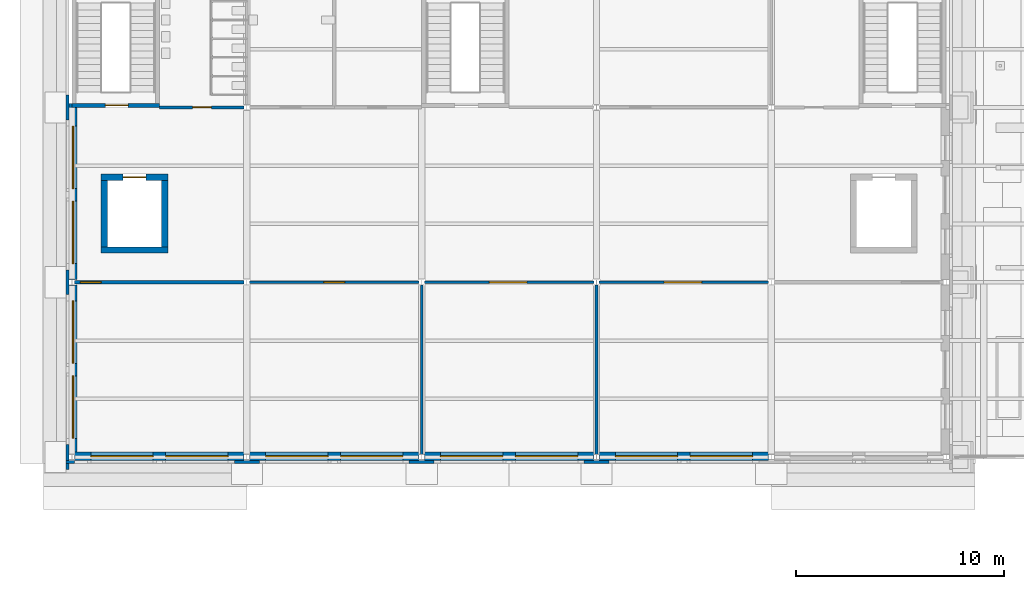
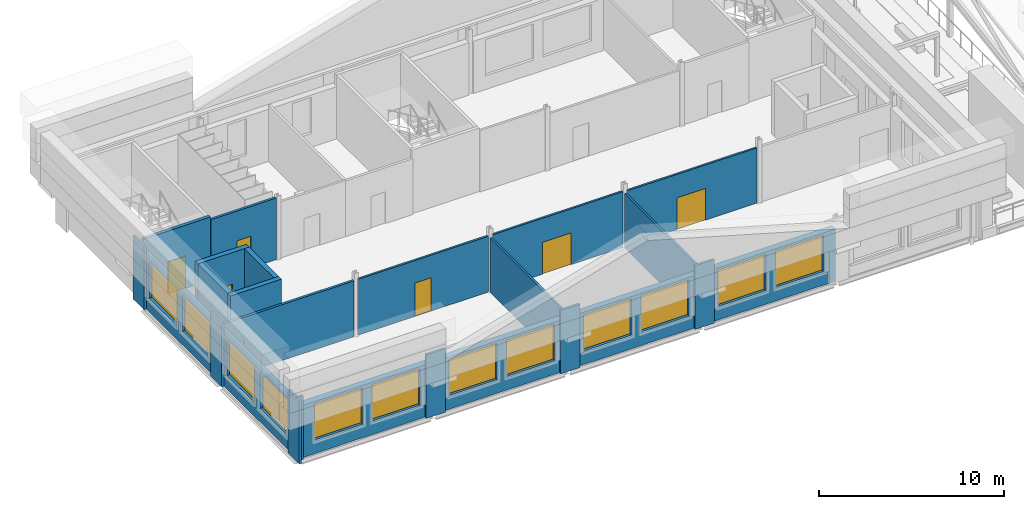
# One storey, part 40 of 76: 25 walls, 12 windows, 7 doors, 19 openings.
"""IFC4 building model written with IfcOpenShell, lengths in metres."""

from ifc_helpers import new_model, si_unit, direction, frame, frame_2d, origin, place, context, subcontext, project, spatial, rectangle, extrude, material, layer, layer_set, type_object, element, fill, save


model = new_model("IFC4")

# Units and contexts
model_context = context("Model", 3, precision=1e-05, world=origin(), true_north=direction((0.0, 1.0)))
body_context = subcontext(model_context, "Body", "Model", "MODEL_VIEW")
ifc_project = project(units=[si_unit("LENGTHUNIT", "METRE"), si_unit("AREAUNIT", "SQUARE_METRE"), si_unit("VOLUMEUNIT", "CUBIC_METRE"), si_unit("PLANEANGLEUNIT", "RADIAN"), si_unit("MASSUNIT", "GRAM", prefix="KILO")], contexts=[model_context])

# Site, building, storey
site_placement = place(None, origin())
site = spatial("IfcSite", under=ifc_project, at=site_placement, CompositionType="ELEMENT")
building_placement = place(site_placement, origin())
building = spatial("IfcBuilding", under=site, at=building_placement, Name="Sava Quay Ferry Terminal", CompositionType="ELEMENT")
storey_placement = place(building_placement, frame((0.0, 0.0, 10.800048828125)))
storey = spatial("IfcBuildingStorey", under=building, at=storey_placement, Name="L02", CompositionType="ELEMENT", Elevation=10.800048828125)

# Walls
ifc_material_1 = material(Name="Limestone Mutalj", Category="masonry")
ifc_layer_1 = layer(ifc_material_1, 0.14990234375)
ifc_layer_set_1 = layer_set([ifc_layer_1], Name="Limestone Mutalj")
wall_type_1 = type_object("IfcWallType", Name="Pier cladding 150", PredefinedType="SOLIDWALL", material=ifc_layer_set_1)
wall_1_placement = place(storey_placement, frame((-0.280029296875, 24.965087890625, 0.0), z_axis=(0.0, 0.0, 1.0), x_axis=(1.0, 0.0, 0.0)))
element("IfcWall", 1, at=wall_1_placement, inside=storey, type_object=wall_type_1, Name="Pier W-S grid 0", PredefinedType="SOLIDWALL", context=body_context, shape_type="SweptSolid", body=[
    extrude(rectangle(XDim=0.409912109375, YDim=0.14990234375, at=frame_2d((0.205078125, 0.0))), origin(), (0.0, 0.0, 1.0), 4.199951171875),
])
for number, where, z_axis, x_axis, name in (
    (2, (7.800048828125, 24.965087890625, 0.0), (0.0, 0.0, 1.0), (1.0, 0.0, 0.0), "Pier W-S grid 8.4"),
    (3, (16.199951171875, 24.965087890625, 0.0), (0.0, 0.0, 1.0), (1.0, 0.0, 0.0), "Pier W-S grid 16.8"),
    (4, (24.60009765625, 24.965087890625, 0.0), (0.0, 0.0, 1.0), (1.0, 0.0, 0.0), "Pier W-S grid 25.2"),
    (5, (-0.22509765625, 24.60009765625, 0.0), (0.0, 0.0, 1.0), (0.0, 1.0, 0.0), "Pier W-W grid 25.2"),
    (6, (-0.22509765625, 33.0, 0.0), (0.0, 0.0, 1.0), (0.0, 1.0, 0.0), "Pier W-W grid 33.6"),
):
    element("IfcWall", number, at=place(storey_placement, frame(where, z_axis=z_axis, x_axis=x_axis)), inside=storey, type_object=wall_type_1, Name=name, PredefinedType="SOLIDWALL", context=body_context, shape_type="SweptSolid", body=[
        extrude(rectangle(XDim=1.199951171875, YDim=0.14990234375, at=frame_2d((0.60009765625, 0.0))), origin(), (0.0, 0.0, 1.0), 4.199951171875),
    ])
wall_2_placement = place(storey_placement, frame((-0.22509765625, 41.39990234375, 0.0), z_axis=(0.0, 0.0, 1.0), x_axis=(0.0, 1.0, 0.0)))
element("IfcWall", 7, at=wall_2_placement, inside=storey, type_object=wall_type_1, Name="Pier W-W grid 42", PredefinedType="SOLIDWALL", context=body_context, shape_type="SweptSolid", body=[
    extrude(rectangle(XDim=1.2001953125, YDim=0.14990234375, at=frame_2d((0.60009765625, 0.0))), origin(), (0.0, 0.0, 1.0), 4.199951171875),
])

# Wall, opening, door
ifc_material_2 = material(Name="Masonry blockwork", Category="masonry")
ifc_layer_2 = layer(ifc_material_2, 0.14990234375)
ifc_layer_set_2 = layer_set([ifc_layer_2], Name="Masonry blockwork")
wall_type_2 = type_object("IfcWallType", Name="Plant, store and lobby wall, blockwork 150", PredefinedType="PARTITIONING", material=ifc_layer_set_2)
wall_3_placement = place(storey_placement, frame((0.1298828125, 33.60009765625, 0.0), z_axis=(0.0, 0.0, 1.0), x_axis=(1.0, 0.0, 0.0)))
wall_3 = element("IfcWall", 8, at=wall_3_placement, inside=storey, type_object=wall_type_2, Name="Plant, store and lobby wall, blockwork 150", PredefinedType="PARTITIONING", context=body_context, shape_type="SweptSolid", body=[
    extrude(rectangle(XDim=8.14013671875, YDim=0.14990234375, at=frame_2d((4.070068359375, 0.0))), origin(), (0.0, 0.0, 1.0), 3.68994140625),
])
opening_1_placement = place(wall_3_placement, frame((0.27001953125, 0.0, 0.0)))
opening_1 = element("IfcOpeningElement", 9, at=opening_1_placement, cuts=wall_3, Name="Opening D0202", PredefinedType="OPENING", context=body_context, shape_type="SweptSolid", body=[
    extrude(rectangle(XDim=1.0, YDim=2.199951171875, at=frame_2d((0.5, 1.10009765625))), frame((0.0, 0.074951171875, 0.0), z_axis=(0.0, -1.0, 0.0), x_axis=(1.0, 0.0, 0.0)), (0.0, 0.0, 1.0), 0.14990234375),
])
ifc_material_3 = material(Name="Timber door set", Category="wood")
door_type_1 = type_object("IfcDoorType", Name="Single door 1000 x 2200", OperationType="NOTDEFINED", PredefinedType="DOOR", material=ifc_material_3)
door_1_placement = place(opening_1_placement, origin())
door_1 = element("IfcDoor", 10, at=door_1_placement, inside=storey, type_object=door_type_1, Name="Door D0202", OperationType="SINGLE_SWING_LEFT", OverallHeight=2.199951171875, OverallWidth=1.0, PredefinedType="DOOR", context=body_context, shape_type="SweptSolid", body=[
    extrude(rectangle(XDim=1.0, YDim=2.199951171875, at=frame_2d((0.5, 1.10009765625))), frame((0.0, 0.02490234375, 0.0), z_axis=(0.0, -1.0, 0.0), x_axis=(1.0, 0.0, 0.0)), (0.0, 0.0, 1.0), 0.050048828125),
])
fill(opening_1, door_1)

wall_4_placement = place(storey_placement, frame((4.199951171875, 42.0, 0.0), z_axis=(0.0, 0.0, 1.0), x_axis=(1.0, 0.0, 0.0)))
wall_4 = element("IfcWall", 11, at=wall_4_placement, inside=storey, type_object=wall_type_2, Name="Plant, store and lobby wall, blockwork 150", PredefinedType="PARTITIONING", context=body_context, shape_type="SweptSolid", body=[
    extrude(rectangle(XDim=4.070068359375, YDim=0.14990234375, at=frame_2d((2.03515625, 0.0))), origin(), (0.0, 0.0, 1.0), 4.070068359375),
])
opening_2_placement = place(wall_4_placement, frame((1.60009765625, 0.0, 0.0)))
opening_2 = element("IfcOpeningElement", 12, at=opening_2_placement, cuts=wall_4, Name="Opening D0206", PredefinedType="OPENING", context=body_context, shape_type="SweptSolid", body=[
    extrude(rectangle(XDim=0.89990234375, YDim=2.10009765625, at=frame_2d((0.449951171875, 1.050048828125))), frame((0.0, 0.074951171875, 0.0), z_axis=(0.0, -1.0, 0.0), x_axis=(1.0, 0.0, 0.0)), (0.0, 0.0, 1.0), 0.14990234375),
])
ifc_material_4 = material(Name="Laminate door set")
door_type_2 = type_object("IfcDoorType", Name="Toilet door 900 x 2100", OperationType="NOTDEFINED", PredefinedType="DOOR", material=ifc_material_4)
door_2_placement = place(opening_2_placement, origin())
door_2 = element("IfcDoor", 13, at=door_2_placement, inside=storey, type_object=door_type_2, Name="Door D0206", OperationType="SINGLE_SWING_LEFT", OverallHeight=2.10009765625, OverallWidth=0.89990234375, PredefinedType="DOOR", context=body_context, shape_type="SweptSolid", body=[
    extrude(rectangle(XDim=0.89990234375, YDim=2.10009765625, at=frame_2d((0.449951171875, 1.050048828125))), frame((0.0, 0.02490234375, 0.0), z_axis=(0.0, -1.0, 0.0), x_axis=(1.0, 0.0, 0.0)), (0.0, 0.0, 1.0), 0.050048828125),
])
fill(opening_2, door_2)

ifc_material_5 = material(Name="Concrete C35/45", Category="concrete")
ifc_layer_3 = layer(ifc_material_5, 0.199951171875)
ifc_layer_set_3 = layer_set([ifc_layer_3], Name="Concrete C35/45")
wall_type_3 = type_object("IfcWallType", Name="RC core wall 200", PredefinedType="SHEAR", material=ifc_layer_set_3)
wall_5_placement = place(storey_placement, frame((0.0, 42.10009765625, 0.0), z_axis=(0.0, 0.0, 1.0), x_axis=(1.0, 0.0, 0.0)))
wall_5 = element("IfcWall", 14, at=wall_5_placement, inside=storey, type_object=wall_type_3, Name="Core wall ST-W1 S L02", PredefinedType="SHEAR", context=body_context, shape_type="SweptSolid", body=[
    extrude(rectangle(XDim=4.199951171875, YDim=0.199951171875, at=frame_2d((2.10009765625, 0.0))), origin(), (0.0, 0.0, 1.0), 4.199951171875),
])
opening_3_placement = place(wall_5_placement, frame((1.60009765625, 0.0, 0.0)))
opening_3 = element("IfcOpeningElement", 15, at=opening_3_placement, cuts=wall_5, Name="Opening DS0201", PredefinedType="OPENING", context=body_context, shape_type="SweptSolid", body=[
    extrude(rectangle(XDim=1.10009765625, YDim=2.10009765625, at=frame_2d((0.550048828125, 1.050048828125))), frame((0.0, 0.10009765625, 0.0), z_axis=(0.0, -1.0, 0.0), x_axis=(1.0, 0.0, 0.0)), (0.0, 0.0, 1.0), 0.199951171875),
])
ifc_material_6 = material(Name="Steel fire door set", Category="steel")
door_type_3 = type_object("IfcDoorType", Name="Stair fire door 1100 x 2100", OperationType="NOTDEFINED", PredefinedType="DOOR", material=ifc_material_6)
door_3_placement = place(opening_3_placement, origin())
door_3 = element("IfcDoor", 16, at=door_3_placement, inside=storey, type_object=door_type_3, Name="Door DS0201", OperationType="SINGLE_SWING_RIGHT", OverallHeight=2.10009765625, OverallWidth=1.10009765625, PredefinedType="DOOR", context=body_context, shape_type="SweptSolid", body=[
    extrude(rectangle(XDim=1.10009765625, YDim=2.10009765625, at=frame_2d((0.550048828125, 1.050048828125))), frame((0.0, 0.02490234375, 0.0), z_axis=(0.0, -1.0, 0.0), x_axis=(1.0, 0.0, 0.0)), (0.0, 0.0, 1.0), 0.050048828125),
])
fill(opening_3, door_3)

# Wall
ifc_material_7 = material(Name="Concrete C35/45", Category="concrete")
ifc_layer_4 = layer(ifc_material_7, 0.300048828125)
ifc_layer_set_4 = layer_set([ifc_layer_4], Name="Concrete C35/45")
wall_type_4 = type_object("IfcWallType", Name="RC core wall 300", PredefinedType="SHEAR", material=ifc_layer_set_4)
wall_6_placement = place(storey_placement, frame((1.39990234375, 35.14990234375, 0.0), z_axis=(0.0, 0.0, 1.0), x_axis=(1.0, 0.0, 0.0)))
element("IfcWall", 17, at=wall_6_placement, inside=storey, type_object=wall_type_4, Name="Core wall LF-W1 S L02", PredefinedType="SHEAR", context=body_context, shape_type="SweptSolid", body=[
    extrude(rectangle(XDim=3.2001953125, YDim=0.300048828125, at=frame_2d((1.60009765625, 0.0))), origin(), (0.0, 0.0, 1.0), 4.199951171875),
])

# Wall, opening, door
wall_7_placement = place(storey_placement, frame((1.39990234375, 38.64990234375, 0.0), z_axis=(0.0, 0.0, 1.0), x_axis=(1.0, 0.0, 0.0)))
wall_7 = element("IfcWall", 18, at=wall_7_placement, inside=storey, type_object=wall_type_4, Name="Core wall LF-W1 N L02", PredefinedType="SHEAR", context=body_context, shape_type="SweptSolid", body=[
    extrude(rectangle(XDim=3.2001953125, YDim=0.300048828125, at=frame_2d((1.60009765625, 0.0))), origin(), (0.0, 0.0, 1.0), 4.199951171875),
])
opening_4_placement = place(wall_7_placement, frame((1.050048828125, 0.0, 0.0)))
opening_4 = element("IfcOpeningElement", 19, at=opening_4_placement, cuts=wall_7, Name="Opening LD0201", PredefinedType="OPENING", context=body_context, shape_type="SweptSolid", body=[
    extrude(rectangle(XDim=1.10009765625, YDim=2.10009765625, at=frame_2d((0.550048828125, 1.050048828125))), frame((0.0, 0.14990234375, 0.0), z_axis=(0.0, -1.0, 0.0), x_axis=(1.0, 0.0, 0.0)), (0.0, 0.0, 1.0), 0.300048828125),
])
ifc_material_8 = material(Name="Stainless steel", Category="steel")
door_type_4 = type_object("IfcDoorType", Name="Lift landing door 1100 x 2100", OperationType="NOTDEFINED", PredefinedType="DOOR", material=ifc_material_8)
door_4_placement = place(opening_4_placement, origin())
door_4 = element("IfcDoor", 20, at=door_4_placement, inside=storey, type_object=door_type_4, Name="Door LD0201", OperationType="SLIDING_TO_LEFT", OverallHeight=2.10009765625, OverallWidth=1.10009765625, PredefinedType="DOOR", context=body_context, shape_type="SweptSolid", body=[
    extrude(rectangle(XDim=1.10009765625, YDim=2.10009765625, at=frame_2d((0.550048828125, 1.050048828125))), frame((0.0, 0.02490234375, 0.0), z_axis=(0.0, -1.0, 0.0), x_axis=(1.0, 0.0, 0.0)), (0.0, 0.0, 1.0), 0.050048828125),
])
fill(opening_4, door_4)

# Walls
for number, where, z_axis, x_axis, name in (
    (21, (1.550048828125, 35.300048828125, 0.0), (0.0, 0.0, 1.0), (0.0, 1.0, 0.0), "Core wall LF-W1 W L02"),
    (22, (4.449951171875, 35.300048828125, 0.0), (0.0, 0.0, 1.0), (0.0, 1.0, 0.0), "Core wall LF-W1 E L02"),
):
    element("IfcWall", number, at=place(storey_placement, frame(where, z_axis=z_axis, x_axis=x_axis)), inside=storey, type_object=wall_type_4, Name=name, PredefinedType="SHEAR", context=body_context, shape_type="SweptSolid", body=[
        extrude(rectangle(XDim=3.199951171875, YDim=0.300048828125, at=frame_2d((1.60009765625, 0.0))), origin(), (0.0, 0.0, 1.0), 4.199951171875),
    ])
ifc_material_9 = material(Name="Plasterboard on steel studs", Category="steel")
ifc_layer_5 = layer(ifc_material_9, 0.125)
ifc_layer_set_5 = layer_set([ifc_layer_5], Name="Plasterboard on steel studs")
wall_type_5 = type_object("IfcWallType", Name="Room partition, plasterboard on steel studs 125", PredefinedType="PARTITIONING", material=ifc_layer_set_5)
wall_8_placement = place(storey_placement, frame((16.800048828125, 25.330078125, 0.0), z_axis=(0.0, 0.0, 1.0), x_axis=(0.0, 1.0, 0.0)))
element("IfcWall", 23, at=wall_8_placement, inside=storey, type_object=wall_type_5, Name="Room partition, plasterboard on steel studs 125", PredefinedType="PARTITIONING", context=body_context, shape_type="SweptSolid", body=[
    extrude(rectangle(XDim=8.139892578125, YDim=0.125, at=frame_2d((4.06982421875, 0.0))), origin(), (0.0, 0.0, 1.0), 3.599853515625),
])

# Wall, opening, door
wall_9_placement = place(storey_placement, frame((8.530029296875, 33.60009765625, 0.0), z_axis=(0.0, 0.0, 1.0), x_axis=(1.0, 0.0, 0.0)))
wall_9 = element("IfcWall", 24, at=wall_9_placement, inside=storey, type_object=wall_type_5, Name="Room partition, plasterboard on steel studs 125", PredefinedType="PARTITIONING", context=body_context, shape_type="SweptSolid", body=[
    extrude(rectangle(XDim=8.139892578125, YDim=0.125, at=frame_2d((4.06982421875, 0.0))), origin(), (0.0, 0.0, 1.0), 3.68994140625),
])
opening_5_placement = place(wall_9_placement, frame((3.570068359375, 0.0, 0.0)))
opening_5 = element("IfcOpeningElement", 25, at=opening_5_placement, cuts=wall_9, Name="Opening D0201", PredefinedType="OPENING", context=body_context, shape_type="SweptSolid", body=[
    extrude(rectangle(XDim=1.0, YDim=2.199951171875, at=frame_2d((0.5, 1.10009765625))), frame((0.0, 0.0625, 0.0), z_axis=(0.0, -1.0, 0.0), x_axis=(1.0, 0.0, 0.0)), (0.0, 0.0, 1.0), 0.125),
])
door_5_placement = place(opening_5_placement, origin())
door_5 = element("IfcDoor", 26, at=door_5_placement, inside=storey, type_object=door_type_1, Name="Door D0201", OperationType="SINGLE_SWING_LEFT", OverallHeight=2.199951171875, OverallWidth=1.0, PredefinedType="DOOR", context=body_context, shape_type="SweptSolid", body=[
    extrude(rectangle(XDim=1.0, YDim=2.199951171875, at=frame_2d((0.5, 1.10009765625))), frame((0.0, 0.02490234375, 0.0), z_axis=(0.0, -1.0, 0.0), x_axis=(1.0, 0.0, 0.0)), (0.0, 0.0, 1.0), 0.050048828125),
])
fill(opening_5, door_5)

# Wall
wall_10_placement = place(storey_placement, frame((25.199951171875, 25.330078125, 0.0), z_axis=(0.0, 0.0, 1.0), x_axis=(0.0, 1.0, 0.0)))
element("IfcWall", 27, at=wall_10_placement, inside=storey, type_object=wall_type_5, Name="Room partition, plasterboard on steel studs 125", PredefinedType="PARTITIONING", context=body_context, shape_type="SweptSolid", body=[
    extrude(rectangle(XDim=8.139892578125, YDim=0.125, at=frame_2d((4.06982421875, 0.0))), origin(), (0.0, 0.0, 1.0), 3.599853515625),
])

# Wall, opening, door
wall_11_placement = place(storey_placement, frame((16.929931640625, 33.60009765625, 0.0), z_axis=(0.0, 0.0, 1.0), x_axis=(1.0, 0.0, 0.0)))
wall_11 = element("IfcWall", 28, at=wall_11_placement, inside=storey, type_object=wall_type_5, Name="Room partition, plasterboard on steel studs 125", PredefinedType="PARTITIONING", context=body_context, shape_type="SweptSolid", body=[
    extrude(rectangle(XDim=8.14013671875, YDim=0.125, at=frame_2d((4.070068359375, 0.0))), origin(), (0.0, 0.0, 1.0), 3.68994140625),
])
opening_6_placement = place(wall_11_placement, frame((3.1201171875, 0.0, 0.0)))
opening_6 = element("IfcOpeningElement", 29, at=opening_6_placement, cuts=wall_11, Name="Opening D0203", PredefinedType="OPENING", context=body_context, shape_type="SweptSolid", body=[
    extrude(rectangle(XDim=1.800048828125, YDim=2.10009765625, at=frame_2d((0.89990234375, 1.050048828125))), frame((0.0, 0.0625, 0.0), z_axis=(0.0, -1.0, 0.0), x_axis=(1.0, 0.0, 0.0)), (0.0, 0.0, 1.0), 0.125),
])
ifc_material_10 = material(Name="Timber door set", Category="wood")
door_type_5 = type_object("IfcDoorType", Name="Double door 1800 x 2100", OperationType="NOTDEFINED", PredefinedType="DOOR", material=ifc_material_10)
door_6_placement = place(opening_6_placement, origin())
door_6 = element("IfcDoor", 30, at=door_6_placement, inside=storey, type_object=door_type_5, Name="Door D0203", OperationType="DOUBLE_DOOR_DOUBLE_SWING", OverallHeight=2.10009765625, OverallWidth=1.800048828125, PredefinedType="DOOR", context=body_context, shape_type="SweptSolid", body=[
    extrude(rectangle(XDim=1.800048828125, YDim=2.10009765625, at=frame_2d((0.89990234375, 1.050048828125))), frame((0.0, 0.02490234375, 0.0), z_axis=(0.0, -1.0, 0.0), x_axis=(1.0, 0.0, 0.0)), (0.0, 0.0, 1.0), 0.050048828125),
])
fill(opening_6, door_6)

wall_12_placement = place(storey_placement, frame((25.330078125, 33.60009765625, 0.0), z_axis=(0.0, 0.0, 1.0), x_axis=(1.0, 0.0, 0.0)))
wall_12 = element("IfcWall", 31, at=wall_12_placement, inside=storey, type_object=wall_type_5, Name="Room partition, plasterboard on steel studs 125", PredefinedType="PARTITIONING", context=body_context, shape_type="SweptSolid", body=[
    extrude(rectangle(XDim=8.139892578125, YDim=0.125, at=frame_2d((4.06982421875, 0.0))), origin(), (0.0, 0.0, 1.0), 3.64990234375),
])
opening_7_placement = place(wall_12_placement, frame((3.1201171875, 0.0, 0.0)))
opening_7 = element("IfcOpeningElement", 32, at=opening_7_placement, cuts=wall_12, Name="Opening D0204", PredefinedType="OPENING", context=body_context, shape_type="SweptSolid", body=[
    extrude(rectangle(XDim=1.800048828125, YDim=2.10009765625, at=frame_2d((0.89990234375, 1.050048828125))), frame((0.0, 0.0625, 0.0), z_axis=(0.0, -1.0, 0.0), x_axis=(1.0, 0.0, 0.0)), (0.0, 0.0, 1.0), 0.125),
])
door_7_placement = place(opening_7_placement, origin())
door_7 = element("IfcDoor", 33, at=door_7_placement, inside=storey, type_object=door_type_5, Name="Door D0204", OperationType="DOUBLE_DOOR_DOUBLE_SWING", OverallHeight=2.10009765625, OverallWidth=1.800048828125, PredefinedType="DOOR", context=body_context, shape_type="SweptSolid", body=[
    extrude(rectangle(XDim=1.800048828125, YDim=2.10009765625, at=frame_2d((0.89990234375, 1.050048828125))), frame((0.0, 0.02490234375, 0.0), z_axis=(0.0, -1.0, 0.0), x_axis=(1.0, 0.0, 0.0)), (0.0, 0.0, 1.0), 0.050048828125),
])
fill(opening_7, door_7)

# Wall, openings, windows
ifc_material_11 = material(Name="Sandstone Bela Voda", Category="masonry")
ifc_layer_6 = layer(ifc_material_11, 0.39990234375)
ifc_layer_set_6 = layer_set([ifc_layer_6], Name="Sandstone Bela Voda")
wall_type_6 = type_object("IfcWallType", Name="Sandstone ashlar infill 400", PredefinedType="SOLIDWALL", material=ifc_layer_set_6)
wall_13_placement = place(storey_placement, frame((0.1298828125, 25.239990234375, 0.0), z_axis=(0.0, 0.0, 1.0), x_axis=(1.0, 0.0, 0.0)))
wall_13 = element("IfcWall", 34, at=wall_13_placement, inside=storey, type_object=wall_type_6, Name="External wall W-S", PredefinedType="SOLIDWALL", context=body_context, shape_type="SweptSolid", body=[
    extrude(rectangle(XDim=8.14013671875, YDim=0.39990234375, at=frame_2d((4.070068359375, 0.0))), origin(), (0.0, 0.0, 1.0), 3.449951171875),
])
opening_8_placement = place(wall_13_placement, frame((0.77001953125, 0.0, 0.89990234375)))
opening_8 = element("IfcOpeningElement", 35, at=opening_8_placement, cuts=wall_13, Name="Opening W-C", PredefinedType="OPENING", context=body_context, shape_type="SweptSolid", body=[
    extrude(rectangle(XDim=3.0, YDim=2.39990234375, at=frame_2d((1.5, 1.199951171875))), frame((0.0, 0.199951171875, 0.0), z_axis=(0.0, -1.0, 0.0), x_axis=(1.0, 0.0, 0.0)), (0.0, 0.0, 1.0), 0.39990234375),
])
opening_9_placement = place(wall_13_placement, frame((4.3701171875, 0.0, 0.89990234375)))
opening_9 = element("IfcOpeningElement", 36, at=opening_9_placement, cuts=wall_13, Name="Opening W-C", PredefinedType="OPENING", context=body_context, shape_type="SweptSolid", body=[
    extrude(rectangle(XDim=3.0, YDim=2.39990234375, at=frame_2d((1.5, 1.199951171875))), frame((0.0, 0.199951171875, 0.0), z_axis=(0.0, -1.0, 0.0), x_axis=(1.0, 0.0, 0.0)), (0.0, 0.0, 1.0), 0.39990234375),
])
ifc_material_12 = material(Name="Aluminium bronze anodised frame, glazing double low-e Ug 1.1", Category="aluminium")
window_type = type_object("IfcWindowType", Name="Attic-storey window 3000x2400", PartitioningType="SINGLE_PANEL", PredefinedType="WINDOW", material=ifc_material_12)
window_1_placement = place(opening_8_placement, origin())
window_1 = element("IfcWindow", 37, at=window_1_placement, inside=storey, type_object=window_type, Name="Window W-C", OverallHeight=2.39990234375, OverallWidth=3.0, PartitioningType="SINGLE_PANEL", PredefinedType="WINDOW", context=body_context, shape_type="SweptSolid", body=[
    extrude(rectangle(XDim=3.0, YDim=2.39990234375, at=frame_2d((1.5, 1.199951171875))), frame((0.0, 0.030029296875, 0.0), z_axis=(0.0, -1.0, 0.0), x_axis=(1.0, 0.0, 0.0)), (0.0, 0.0, 1.0), 0.06005859375),
])
fill(opening_8, window_1)
window_2_placement = place(opening_9_placement, origin())
window_2 = element("IfcWindow", 38, at=window_2_placement, inside=storey, type_object=window_type, Name="Window W-C", OverallHeight=2.39990234375, OverallWidth=3.0, PartitioningType="SINGLE_PANEL", PredefinedType="WINDOW", context=body_context, shape_type="SweptSolid", body=[
    extrude(rectangle(XDim=3.0, YDim=2.39990234375, at=frame_2d((1.5, 1.199951171875))), frame((0.0, 0.030029296875, 0.0), z_axis=(0.0, -1.0, 0.0), x_axis=(1.0, 0.0, 0.0)), (0.0, 0.0, 1.0), 0.06005859375),
])
fill(opening_9, window_2)

wall_14_placement = place(storey_placement, frame((8.530029296875, 25.239990234375, 0.0), z_axis=(0.0, 0.0, 1.0), x_axis=(1.0, 0.0, 0.0)))
wall_14 = element("IfcWall", 39, at=wall_14_placement, inside=storey, type_object=wall_type_6, Name="External wall W-S", PredefinedType="SOLIDWALL", context=body_context, shape_type="SweptSolid", body=[
    extrude(rectangle(XDim=8.139892578125, YDim=0.39990234375, at=frame_2d((4.06982421875, 0.0))), origin(), (0.0, 0.0, 1.0), 3.449951171875),
])
opening_10_placement = place(wall_14_placement, frame((0.77001953125, 0.0, 0.89990234375)))
opening_10 = element("IfcOpeningElement", 40, at=opening_10_placement, cuts=wall_14, Name="Opening W-C", PredefinedType="OPENING", context=body_context, shape_type="SweptSolid", body=[
    extrude(rectangle(XDim=3.0, YDim=2.39990234375, at=frame_2d((1.5, 1.199951171875))), frame((0.0, 0.199951171875, 0.0), z_axis=(0.0, -1.0, 0.0), x_axis=(1.0, 0.0, 0.0)), (0.0, 0.0, 1.0), 0.39990234375),
])
opening_11_placement = place(wall_14_placement, frame((4.3701171875, 0.0, 0.89990234375)))
opening_11 = element("IfcOpeningElement", 41, at=opening_11_placement, cuts=wall_14, Name="Opening W-C", PredefinedType="OPENING", context=body_context, shape_type="SweptSolid", body=[
    extrude(rectangle(XDim=3.0, YDim=2.39990234375, at=frame_2d((1.5, 1.199951171875))), frame((0.0, 0.199951171875, 0.0), z_axis=(0.0, -1.0, 0.0), x_axis=(1.0, 0.0, 0.0)), (0.0, 0.0, 1.0), 0.39990234375),
])
window_3_placement = place(opening_10_placement, origin())
window_3 = element("IfcWindow", 42, at=window_3_placement, inside=storey, type_object=window_type, Name="Window W-C", OverallHeight=2.39990234375, OverallWidth=3.0, PartitioningType="SINGLE_PANEL", PredefinedType="WINDOW", context=body_context, shape_type="SweptSolid", body=[
    extrude(rectangle(XDim=3.0, YDim=2.39990234375, at=frame_2d((1.5, 1.199951171875))), frame((0.0, 0.030029296875, 0.0), z_axis=(0.0, -1.0, 0.0), x_axis=(1.0, 0.0, 0.0)), (0.0, 0.0, 1.0), 0.06005859375),
])
fill(opening_10, window_3)
window_4_placement = place(opening_11_placement, origin())
window_4 = element("IfcWindow", 43, at=window_4_placement, inside=storey, type_object=window_type, Name="Window W-C", OverallHeight=2.39990234375, OverallWidth=3.0, PartitioningType="SINGLE_PANEL", PredefinedType="WINDOW", context=body_context, shape_type="SweptSolid", body=[
    extrude(rectangle(XDim=3.0, YDim=2.39990234375, at=frame_2d((1.5, 1.199951171875))), frame((0.0, 0.030029296875, 0.0), z_axis=(0.0, -1.0, 0.0), x_axis=(1.0, 0.0, 0.0)), (0.0, 0.0, 1.0), 0.06005859375),
])
fill(opening_11, window_4)

wall_15_placement = place(storey_placement, frame((16.929931640625, 25.239990234375, 0.0), z_axis=(0.0, 0.0, 1.0), x_axis=(1.0, 0.0, 0.0)))
wall_15 = element("IfcWall", 44, at=wall_15_placement, inside=storey, type_object=wall_type_6, Name="External wall W-S", PredefinedType="SOLIDWALL", context=body_context, shape_type="SweptSolid", body=[
    extrude(rectangle(XDim=8.14013671875, YDim=0.39990234375, at=frame_2d((4.070068359375, 0.0))), origin(), (0.0, 0.0, 1.0), 3.449951171875),
])
opening_12_placement = place(wall_15_placement, frame((0.77001953125, 0.0, 0.89990234375)))
opening_12 = element("IfcOpeningElement", 45, at=opening_12_placement, cuts=wall_15, Name="Opening W-C", PredefinedType="OPENING", context=body_context, shape_type="SweptSolid", body=[
    extrude(rectangle(XDim=3.0, YDim=2.39990234375, at=frame_2d((1.5, 1.199951171875))), frame((0.0, 0.199951171875, 0.0), z_axis=(0.0, -1.0, 0.0), x_axis=(1.0, 0.0, 0.0)), (0.0, 0.0, 1.0), 0.39990234375),
])
opening_13_placement = place(wall_15_placement, frame((4.3701171875, 0.0, 0.89990234375)))
opening_13 = element("IfcOpeningElement", 46, at=opening_13_placement, cuts=wall_15, Name="Opening W-C", PredefinedType="OPENING", context=body_context, shape_type="SweptSolid", body=[
    extrude(rectangle(XDim=3.0, YDim=2.39990234375, at=frame_2d((1.5, 1.199951171875))), frame((0.0, 0.199951171875, 0.0), z_axis=(0.0, -1.0, 0.0), x_axis=(1.0, 0.0, 0.0)), (0.0, 0.0, 1.0), 0.39990234375),
])
window_5_placement = place(opening_12_placement, origin())
window_5 = element("IfcWindow", 47, at=window_5_placement, inside=storey, type_object=window_type, Name="Window W-C", OverallHeight=2.39990234375, OverallWidth=3.0, PartitioningType="SINGLE_PANEL", PredefinedType="WINDOW", context=body_context, shape_type="SweptSolid", body=[
    extrude(rectangle(XDim=3.0, YDim=2.39990234375, at=frame_2d((1.5, 1.199951171875))), frame((0.0, 0.030029296875, 0.0), z_axis=(0.0, -1.0, 0.0), x_axis=(1.0, 0.0, 0.0)), (0.0, 0.0, 1.0), 0.06005859375),
])
fill(opening_12, window_5)
window_6_placement = place(opening_13_placement, origin())
window_6 = element("IfcWindow", 48, at=window_6_placement, inside=storey, type_object=window_type, Name="Window W-C", OverallHeight=2.39990234375, OverallWidth=3.0, PartitioningType="SINGLE_PANEL", PredefinedType="WINDOW", context=body_context, shape_type="SweptSolid", body=[
    extrude(rectangle(XDim=3.0, YDim=2.39990234375, at=frame_2d((1.5, 1.199951171875))), frame((0.0, 0.030029296875, 0.0), z_axis=(0.0, -1.0, 0.0), x_axis=(1.0, 0.0, 0.0)), (0.0, 0.0, 1.0), 0.06005859375),
])
fill(opening_13, window_6)

wall_16_placement = place(storey_placement, frame((25.330078125, 25.239990234375, 0.0), z_axis=(0.0, 0.0, 1.0), x_axis=(1.0, 0.0, 0.0)))
wall_16 = element("IfcWall", 49, at=wall_16_placement, inside=storey, type_object=wall_type_6, Name="External wall W-S", PredefinedType="SOLIDWALL", context=body_context, shape_type="SweptSolid", body=[
    extrude(rectangle(XDim=8.139892578125, YDim=0.39990234375, at=frame_2d((4.06982421875, 0.0))), origin(), (0.0, 0.0, 1.0), 3.449951171875),
])
opening_14_placement = place(wall_16_placement, frame((0.77001953125, 0.0, 0.89990234375)))
opening_14 = element("IfcOpeningElement", 50, at=opening_14_placement, cuts=wall_16, Name="Opening W-C", PredefinedType="OPENING", context=body_context, shape_type="SweptSolid", body=[
    extrude(rectangle(XDim=3.0, YDim=2.39990234375, at=frame_2d((1.5, 1.199951171875))), frame((0.0, 0.199951171875, 0.0), z_axis=(0.0, -1.0, 0.0), x_axis=(1.0, 0.0, 0.0)), (0.0, 0.0, 1.0), 0.39990234375),
])
opening_15_placement = place(wall_16_placement, frame((4.3701171875, 0.0, 0.89990234375)))
opening_15 = element("IfcOpeningElement", 51, at=opening_15_placement, cuts=wall_16, Name="Opening W-C", PredefinedType="OPENING", context=body_context, shape_type="SweptSolid", body=[
    extrude(rectangle(XDim=3.0, YDim=2.39990234375, at=frame_2d((1.5, 1.199951171875))), frame((0.0, 0.199951171875, 0.0), z_axis=(0.0, -1.0, 0.0), x_axis=(1.0, 0.0, 0.0)), (0.0, 0.0, 1.0), 0.39990234375),
])
window_7_placement = place(opening_14_placement, origin())
window_7 = element("IfcWindow", 52, at=window_7_placement, inside=storey, type_object=window_type, Name="Window W-C", OverallHeight=2.39990234375, OverallWidth=3.0, PartitioningType="SINGLE_PANEL", PredefinedType="WINDOW", context=body_context, shape_type="SweptSolid", body=[
    extrude(rectangle(XDim=3.0, YDim=2.39990234375, at=frame_2d((1.5, 1.199951171875))), frame((0.0, 0.030029296875, 0.0), z_axis=(0.0, -1.0, 0.0), x_axis=(1.0, 0.0, 0.0)), (0.0, 0.0, 1.0), 0.06005859375),
])
fill(opening_14, window_7)
window_8_placement = place(opening_15_placement, origin())
window_8 = element("IfcWindow", 53, at=window_8_placement, inside=storey, type_object=window_type, Name="Window W-C", OverallHeight=2.39990234375, OverallWidth=3.0, PartitioningType="SINGLE_PANEL", PredefinedType="WINDOW", context=body_context, shape_type="SweptSolid", body=[
    extrude(rectangle(XDim=3.0, YDim=2.39990234375, at=frame_2d((1.5, 1.199951171875))), frame((0.0, 0.030029296875, 0.0), z_axis=(0.0, -1.0, 0.0), x_axis=(1.0, 0.0, 0.0)), (0.0, 0.0, 1.0), 0.06005859375),
])
fill(opening_15, window_8)

wall_17_placement = place(storey_placement, frame((0.050048828125, 25.330078125, 0.0), z_axis=(0.0, 0.0, 1.0), x_axis=(0.0, 1.0, 0.0)))
wall_17 = element("IfcWall", 54, at=wall_17_placement, inside=storey, type_object=wall_type_6, Name="External wall W-W", PredefinedType="SOLIDWALL", context=body_context, shape_type="SweptSolid", body=[
    extrude(rectangle(XDim=8.139892578125, YDim=0.39990234375, at=frame_2d((4.06982421875, 0.0))), origin(), (0.0, 0.0, 1.0), 3.449951171875),
])
opening_16_placement = place(wall_17_placement, frame((0.77001953125, 0.0, 0.89990234375)))
opening_16 = element("IfcOpeningElement", 55, at=opening_16_placement, cuts=wall_17, Name="Opening W-C", PredefinedType="OPENING", context=body_context, shape_type="SweptSolid", body=[
    extrude(rectangle(XDim=3.0, YDim=2.39990234375, at=frame_2d((1.5, 1.199951171875))), frame((0.0, 0.199951171875, 0.0), z_axis=(0.0, -1.0, 0.0), x_axis=(1.0, 0.0, 0.0)), (0.0, 0.0, 1.0), 0.39990234375),
])
opening_17_placement = place(wall_17_placement, frame((4.3701171875, 0.0, 0.89990234375)))
opening_17 = element("IfcOpeningElement", 56, at=opening_17_placement, cuts=wall_17, Name="Opening W-C", PredefinedType="OPENING", context=body_context, shape_type="SweptSolid", body=[
    extrude(rectangle(XDim=3.0, YDim=2.39990234375, at=frame_2d((1.5, 1.199951171875))), frame((0.0, 0.199951171875, 0.0), z_axis=(0.0, -1.0, 0.0), x_axis=(1.0, 0.0, 0.0)), (0.0, 0.0, 1.0), 0.39990234375),
])
window_9_placement = place(opening_16_placement, origin())
window_9 = element("IfcWindow", 57, at=window_9_placement, inside=storey, type_object=window_type, Name="Window W-C", OverallHeight=2.39990234375, OverallWidth=3.0, PartitioningType="SINGLE_PANEL", PredefinedType="WINDOW", context=body_context, shape_type="SweptSolid", body=[
    extrude(rectangle(XDim=3.0, YDim=2.39990234375, at=frame_2d((1.5, 1.199951171875))), frame((0.0, 0.030029296875, 0.0), z_axis=(0.0, -1.0, 0.0), x_axis=(1.0, 0.0, 0.0)), (0.0, 0.0, 1.0), 0.06005859375),
])
fill(opening_16, window_9)
window_10_placement = place(opening_17_placement, origin())
window_10 = element("IfcWindow", 58, at=window_10_placement, inside=storey, type_object=window_type, Name="Window W-C", OverallHeight=2.39990234375, OverallWidth=3.0, PartitioningType="SINGLE_PANEL", PredefinedType="WINDOW", context=body_context, shape_type="SweptSolid", body=[
    extrude(rectangle(XDim=3.0, YDim=2.39990234375, at=frame_2d((1.5, 1.199951171875))), frame((0.0, 0.030029296875, 0.0), z_axis=(0.0, -1.0, 0.0), x_axis=(1.0, 0.0, 0.0)), (0.0, 0.0, 1.0), 0.06005859375),
])
fill(opening_17, window_10)

wall_18_placement = place(storey_placement, frame((0.050048828125, 33.72998046875, 0.0), z_axis=(0.0, 0.0, 1.0), x_axis=(0.0, 1.0, 0.0)))
wall_18 = element("IfcWall", 59, at=wall_18_placement, inside=storey, type_object=wall_type_6, Name="External wall W-W", PredefinedType="SOLIDWALL", context=body_context, shape_type="SweptSolid", body=[
    extrude(rectangle(XDim=8.469970703125, YDim=0.39990234375, at=frame_2d((4.23486328125, 0.0))), origin(), (0.0, 0.0, 1.0), 3.449951171875),
])
opening_18_placement = place(wall_18_placement, frame((0.77001953125, 0.0, 0.89990234375)))
opening_18 = element("IfcOpeningElement", 60, at=opening_18_placement, cuts=wall_18, Name="Opening W-C", PredefinedType="OPENING", context=body_context, shape_type="SweptSolid", body=[
    extrude(rectangle(XDim=3.0, YDim=2.39990234375, at=frame_2d((1.5, 1.199951171875))), frame((0.0, 0.199951171875, 0.0), z_axis=(0.0, -1.0, 0.0), x_axis=(1.0, 0.0, 0.0)), (0.0, 0.0, 1.0), 0.39990234375),
])
opening_19_placement = place(wall_18_placement, frame((4.3701171875, 0.0, 0.89990234375)))
opening_19 = element("IfcOpeningElement", 61, at=opening_19_placement, cuts=wall_18, Name="Opening W-C", PredefinedType="OPENING", context=body_context, shape_type="SweptSolid", body=[
    extrude(rectangle(XDim=3.0, YDim=2.39990234375, at=frame_2d((1.5, 1.199951171875))), frame((0.0, 0.199951171875, 0.0), z_axis=(0.0, -1.0, 0.0), x_axis=(1.0, 0.0, 0.0)), (0.0, 0.0, 1.0), 0.39990234375),
])
window_11_placement = place(opening_18_placement, origin())
window_11 = element("IfcWindow", 62, at=window_11_placement, inside=storey, type_object=window_type, Name="Window W-C", OverallHeight=2.39990234375, OverallWidth=3.0, PartitioningType="SINGLE_PANEL", PredefinedType="WINDOW", context=body_context, shape_type="SweptSolid", body=[
    extrude(rectangle(XDim=3.0, YDim=2.39990234375, at=frame_2d((1.5, 1.199951171875))), frame((0.0, 0.030029296875, 0.0), z_axis=(0.0, -1.0, 0.0), x_axis=(1.0, 0.0, 0.0)), (0.0, 0.0, 1.0), 0.06005859375),
])
fill(opening_18, window_11)
window_12_placement = place(opening_19_placement, origin())
window_12 = element("IfcWindow", 63, at=window_12_placement, inside=storey, type_object=window_type, Name="Window W-C", OverallHeight=2.39990234375, OverallWidth=3.0, PartitioningType="SINGLE_PANEL", PredefinedType="WINDOW", context=body_context, shape_type="SweptSolid", body=[
    extrude(rectangle(XDim=3.0, YDim=2.39990234375, at=frame_2d((1.5, 1.199951171875))), frame((0.0, 0.030029296875, 0.0), z_axis=(0.0, -1.0, 0.0), x_axis=(1.0, 0.0, 0.0)), (0.0, 0.0, 1.0), 0.06005859375),
])
fill(opening_19, window_12)

save(model, "model.ifc")
